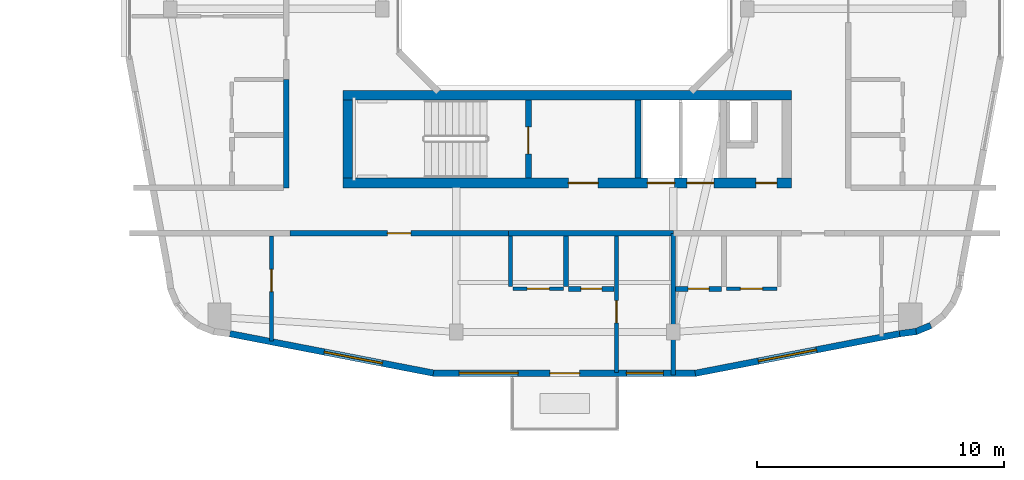
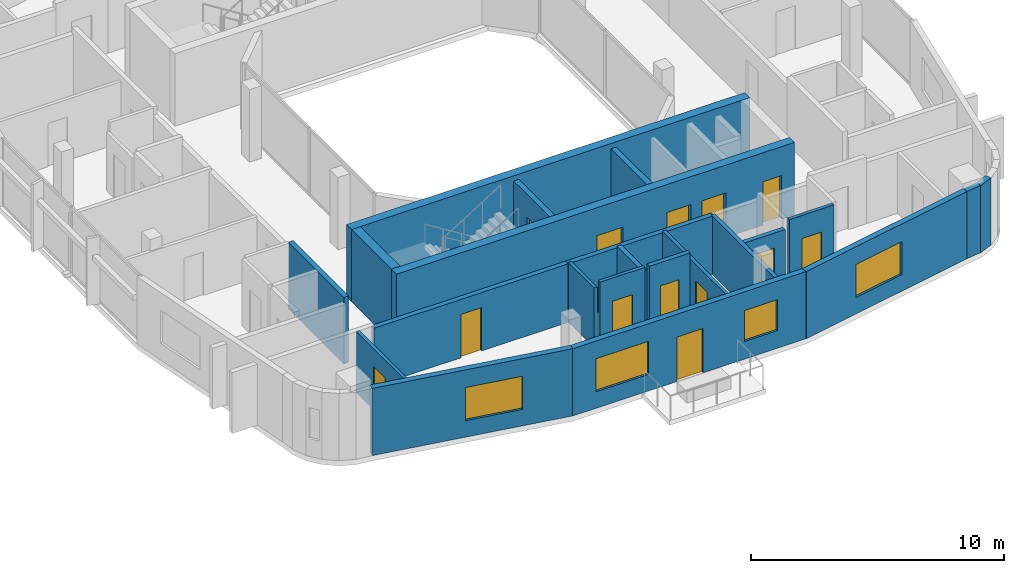
# One storey, part 13 of 22: 22 walls, 13 doors, 4 windows, 17 openings.
"""IFC4 building model written with IfcOpenShell, lengths in metres."""

from ifc_helpers import new_model, si_unit, derived_unit, direction, frame, frame_2d, origin, place, context, subcontext, project, spatial, rectangle, extrude, material, layer, layer_set, type_object, element, fill, save


model = new_model("IFC4")

# Units and contexts
model_context = context("Model", 3, precision=1e-05, world=origin(), true_north=direction((0.0, 1.0)))
body_context = subcontext(model_context, "Body", "Model", "MODEL_VIEW")
ifc_project = project(units=[si_unit("LENGTHUNIT", "METRE"), si_unit("AREAUNIT", "SQUARE_METRE"), si_unit("VOLUMEUNIT", "CUBIC_METRE"), si_unit("PLANEANGLEUNIT", "RADIAN"), si_unit("MASSUNIT", "GRAM", prefix="KILO"), derived_unit("THERMALTRANSMITTANCEUNIT", [(si_unit("POWERUNIT", "WATT"), 1), (si_unit("LENGTHUNIT", "METRE"), -2), (si_unit("THERMODYNAMICTEMPERATUREUNIT", "KELVIN"), -1)])], contexts=[model_context])

# Site, building, storey
site_placement = place(None, origin())
site = spatial("IfcSite", under=ifc_project, at=site_placement, CompositionType="ELEMENT")
building_placement = place(site_placement, origin())
building = spatial("IfcBuilding", under=site, at=building_placement, Name="Kivonza Crest Hotel", CompositionType="ELEMENT")
storey_placement = place(building_placement, frame((0.0, 0.0, 112.5)))
storey = spatial("IfcBuildingStorey", under=building, at=storey_placement, Name="L30", CompositionType="ELEMENT", Elevation=112.5)

# Walls
ifc_material_1 = material(Name="High-density acoustic masonry inter-tenancy wall", Category="masonry")
ifc_layer_1 = layer(ifc_material_1, 0.179931640625)
ifc_layer_set_1 = layer_set([ifc_layer_1], Name="High-density acoustic masonry inter-tenancy wall")
wall_type_1 = type_object("IfcWallType", Name="WL-ACOU-180", PredefinedType="SOLIDWALL", material=ifc_layer_set_1)
wall_1_placement = place(storey_placement, frame((81.39990234375, 6.659912109375, 0.0), z_axis=(0.0, 0.0, 1.0), x_axis=(0.0, 1.0, 0.0)))
element("IfcWall", 1, at=wall_1_placement, inside=storey, type_object=wall_type_1, Name="L30 interior partition WA-L30-T2S-DIV1", PredefinedType="SOLIDWALL", context=body_context, shape_type="SweptSolid", body=[
    extrude(rectangle(XDim=5.739990234375, YDim=0.179931640625, at=frame_2d((2.8701171875, 0.0))), origin(), (0.0, 0.0, 1.0), 2.824951171875),
])
ifc_material_2 = material(Name="Autoclaved aerated concrete blockwork", Category="masonry")
ifc_layer_2 = layer(ifc_material_2, 0.219970703125)
ifc_layer_set_2 = layer_set([ifc_layer_2], Name="Autoclaved aerated concrete blockwork")
wall_type_2 = type_object("IfcWallType", Name="WL-ACOU-220", PredefinedType="SOLIDWALL", material=ifc_layer_set_2)
wall_2_placement = place(storey_placement, frame((74.719970703125, 12.39990234375, 0.0), z_axis=(0.0, 0.0, 1.0), x_axis=(1.0, 0.0, 0.0)))
element("IfcWall", 2, at=wall_2_placement, inside=storey, type_object=wall_type_2, Name="L30 interior partition WA-L30-A03-RCORR", PredefinedType="SOLIDWALL", context=body_context, shape_type="SweptSolid", body=[
    extrude(rectangle(XDim=6.679931640625, YDim=0.219970703125, at=frame_2d((3.33984375, 0.0))), origin(), (0.0, 0.0, 1.0), 2.824951171875),
])

# Wall, opening, door
wall_3_placement = place(storey_placement, frame((65.85009765625, 12.39990234375, 0.0), z_axis=(0.0, 0.0, 1.0), x_axis=(1.0, 0.0, 0.0)))
wall_3 = element("IfcWall", 3, at=wall_3_placement, inside=storey, type_object=wall_type_2, Name="L30 interior partition WA-L30-A03-MCORR", PredefinedType="SOLIDWALL", context=body_context, shape_type="SweptSolid", body=[
    extrude(rectangle(XDim=8.869873046875, YDim=0.219970703125, at=frame_2d((4.43505859375, 0.0))), origin(), (0.0, 0.0, 1.0), 2.824951171875),
])
opening_1_placement = place(wall_3_placement, frame((3.9599609375, 0.0, 0.0)))
opening_1 = element("IfcOpeningElement", 4, at=opening_1_placement, cuts=wall_3, Name="Opening DU-60", PredefinedType="OPENING", context=body_context, shape_type="SweptSolid", body=[
    extrude(rectangle(XDim=0.949951171875, YDim=2.10009765625, at=frame_2d((0.47509765625, 1.050048828125))), frame((0.0, 0.1201171875, 0.0), z_axis=(0.0, -1.0, 0.0), x_axis=(1.0, 0.0, 0.0)), (0.0, 0.0, 1.0), 0.239990234375),
])
ifc_material_3 = material(Name="Hardwood timber oak", Category="wood")
door_type_1 = type_object("IfcDoorType", Name="DR-UNIT-950", OperationType="NOTDEFINED", PredefinedType="DOOR", material=ifc_material_3)
door_1_placement = place(opening_1_placement, frame((0.949951171875, 0.0, 0.0), z_axis=(0.0, 0.0, 1.0), x_axis=(-1.0, 0.0, 0.0)))
door_1 = element("IfcDoor", 5, at=door_1_placement, inside=storey, type_object=door_type_1, Name="L30 A03 apartment entrance fire door", OperationType="SINGLE_SWING_LEFT", OverallHeight=2.10009765625, OverallWidth=0.949951171875, PredefinedType="DOOR", context=body_context, shape_type="SweptSolid", body=[
    extrude(rectangle(XDim=0.949951171875, YDim=2.10009765625, at=frame_2d((0.47509765625, 1.050048828125))), frame((0.0, 0.02490234375, 0.0), z_axis=(0.0, -1.0, 0.0), x_axis=(1.0, 0.0, 0.0)), (0.0, 0.0, 1.0), 0.050048828125),
])
fill(opening_1, door_1)

# Wall
wall_4_placement = place(storey_placement, frame((65.699951171875, 14.239990234375, 0.0), z_axis=(0.0, 0.0, 1.0), x_axis=(0.0, 1.0, 0.0)))
element("IfcWall", 6, at=wall_4_placement, inside=storey, type_object=wall_type_2, Name="L30 interior partition WA-L30-A05-BCORR", PredefinedType="SOLIDWALL", context=body_context, shape_type="SweptSolid", body=[
    extrude(rectangle(XDim=4.39990234375, YDim=0.219970703125, at=frame_2d((2.199951171875, 0.0))), origin(), (0.0, 0.0, 1.0), 3.219970703125),
])

# Wall, openings, doors
ifc_material_4 = material(Name="Concrete C50/60", Category="concrete")
ifc_layer_3 = layer(ifc_material_4, 0.39990234375)
ifc_layer_set_3 = layer_set([ifc_layer_3], Name="Concrete C50/60")
wall_type_3 = type_object("IfcWallType", Name="WL-CORE-400", PredefinedType="SHEAR", material=ifc_layer_set_3)
wall_5_placement = place(storey_placement, frame((68.0, 14.43994140625, 0.0), z_axis=(0.0, 0.0, 1.0), x_axis=(1.0, 0.0, 0.0)))
wall_5 = element("IfcWall", 7, at=wall_5_placement, inside=storey, type_object=wall_type_3, Name="Core wall T2-S South L30", PredefinedType="SHEAR", context=body_context, shape_type="SweptSolid", body=[
    extrude(rectangle(XDim=18.199951171875, YDim=0.39990234375, at=frame_2d((9.10009765625, 0.0))), origin(), (0.0, 0.0, 1.0), 3.5),
])
opening_2_placement = place(wall_5_placement, frame((9.14990234375, 0.0, 0.0)))
opening_2 = element("IfcOpeningElement", 8, at=opening_2_placement, cuts=wall_5, Name="Opening DF-60", PredefinedType="OPENING", context=body_context, shape_type="SweptSolid", body=[
    extrude(rectangle(XDim=1.199951171875, YDim=2.14990234375, at=frame_2d((0.60009765625, 1.074951171875))), frame((0.0, 0.2099609375, 0.0), z_axis=(0.0, -1.0, 0.0), x_axis=(1.0, 0.0, 0.0)), (0.0, 0.0, 1.0), 0.419921875),
])
opening_3_placement = place(wall_5_placement, frame((16.75, 0.0, 0.0)))
opening_3 = element("IfcOpeningElement", 9, at=opening_3_placement, cuts=wall_5, Name="Opening DF-60R", PredefinedType="OPENING", context=body_context, shape_type="SweptSolid", body=[
    extrude(rectangle(XDim=0.85009765625, YDim=2.10009765625, at=frame_2d((0.425048828125, 1.050048828125))), frame((0.0, 0.2099609375, 0.0), z_axis=(0.0, -1.0, 0.0), x_axis=(1.0, 0.0, 0.0)), (0.0, 0.0, 1.0), 0.419921875),
])
opening_4_placement = place(wall_5_placement, frame((12.35009765625, 0.0, 0.0)))
opening_4 = element("IfcOpeningElement", 10, at=opening_4_placement, cuts=wall_5, Name="Opening LD-120", PredefinedType="OPENING", context=body_context, shape_type="SweptSolid", body=[
    extrude(rectangle(XDim=1.10009765625, YDim=2.14990234375, at=frame_2d((0.550048828125, 1.074951171875))), frame((0.0, 0.2099609375, 0.0), z_axis=(0.0, -1.0, 0.0), x_axis=(1.0, 0.0, 0.0)), (0.0, 0.0, 1.0), 0.419921875),
])
opening_5_placement = place(wall_5_placement, frame((13.949951171875, 0.0, 0.0)))
opening_5 = element("IfcOpeningElement", 11, at=opening_5_placement, cuts=wall_5, Name="Opening LD-120", PredefinedType="OPENING", context=body_context, shape_type="SweptSolid", body=[
    extrude(rectangle(XDim=1.10009765625, YDim=2.14990234375, at=frame_2d((0.550048828125, 1.074951171875))), frame((0.0, 0.2099609375, 0.0), z_axis=(0.0, -1.0, 0.0), x_axis=(1.0, 0.0, 0.0)), (0.0, 0.0, 1.0), 0.419921875),
])
door_type_2 = type_object("IfcDoorType", Name="DR-FD60-1200", OperationType="NOTDEFINED", PredefinedType="DOOR", material=ifc_material_3)
door_2_placement = place(opening_2_placement, frame((1.199951171875, 0.0, 0.0), z_axis=(0.0, 0.0, 1.0), x_axis=(-1.0, 0.0, 0.0)))
door_2 = element("IfcDoor", 12, at=door_2_placement, inside=storey, type_object=door_type_2, Name="L30 T2-S firefighting lobby fire door", OperationType="SINGLE_SWING_LEFT", OverallHeight=2.14990234375, OverallWidth=1.199951171875, PredefinedType="DOOR", context=body_context, shape_type="SweptSolid", body=[
    extrude(rectangle(XDim=1.199951171875, YDim=2.14990234375, at=frame_2d((0.60009765625, 1.074951171875))), frame((0.0, 0.02490234375, 0.0), z_axis=(0.0, -1.0, 0.0), x_axis=(1.0, 0.0, 0.0)), (0.0, 0.0, 1.0), 0.050048828125),
])
fill(opening_2, door_2)
door_type_3 = type_object("IfcDoorType", Name="DR-FD60-850", OperationType="NOTDEFINED", PredefinedType="DOOR", material=ifc_material_3)
door_3_placement = place(opening_3_placement, frame((0.85009765625, 0.0, 0.0), z_axis=(0.0, 0.0, 1.0), x_axis=(-1.0, 0.0, 0.0)))
door_3 = element("IfcDoor", 13, at=door_3_placement, inside=storey, type_object=door_type_3, Name="L30 T2-S core room door", OperationType="SINGLE_SWING_RIGHT", OverallHeight=2.10009765625, OverallWidth=0.85009765625, PredefinedType="DOOR", context=body_context, shape_type="SweptSolid", body=[
    extrude(rectangle(XDim=0.85009765625, YDim=2.10009765625, at=frame_2d((0.425048828125, 1.050048828125))), frame((0.0, 0.02490234375, 0.0), z_axis=(0.0, -1.0, 0.0), x_axis=(1.0, 0.0, 0.0)), (0.0, 0.0, 1.0), 0.050048828125),
])
fill(opening_3, door_3)
ifc_material_5 = material(Name="Stainless steel", Category="steel")
door_type_4 = type_object("IfcDoorType", Name="DR-LD120-1100", OperationType="NOTDEFINED", PredefinedType="DOOR", material=ifc_material_5)
door_4_placement = place(opening_4_placement, frame((1.10009765625, 0.0, 0.0), z_axis=(0.0, 0.0, 1.0), x_axis=(-1.0, 0.0, 0.0)))
door_4 = element("IfcDoor", 14, at=door_4_placement, inside=storey, type_object=door_type_4, Name="L30 PL-T2-1 passenger lift sliding landing door", OperationType="DOUBLE_DOOR_SLIDING", OverallHeight=2.14990234375, OverallWidth=1.10009765625, PredefinedType="DOOR", context=body_context, shape_type="SweptSolid", body=[
    extrude(rectangle(XDim=1.10009765625, YDim=2.14990234375, at=frame_2d((0.550048828125, 1.074951171875))), frame((0.0, 0.02490234375, 0.0), z_axis=(0.0, -1.0, 0.0), x_axis=(1.0, 0.0, 0.0)), (0.0, 0.0, 1.0), 0.050048828125),
])
fill(opening_4, door_4)
door_5_placement = place(opening_5_placement, frame((1.10009765625, 0.0, 0.0), z_axis=(0.0, 0.0, 1.0), x_axis=(-1.0, 0.0, 0.0)))
door_5 = element("IfcDoor", 15, at=door_5_placement, inside=storey, type_object=door_type_4, Name="L30 PL-T2-2 passenger lift sliding landing door", OperationType="DOUBLE_DOOR_SLIDING", OverallHeight=2.14990234375, OverallWidth=1.10009765625, PredefinedType="DOOR", context=body_context, shape_type="SweptSolid", body=[
    extrude(rectangle(XDim=1.10009765625, YDim=2.14990234375, at=frame_2d((0.550048828125, 1.074951171875))), frame((0.0, 0.02490234375, 0.0), z_axis=(0.0, -1.0, 0.0), x_axis=(1.0, 0.0, 0.0)), (0.0, 0.0, 1.0), 0.050048828125),
])
fill(opening_5, door_5)

# Walls
wall_6_placement = place(storey_placement, frame((68.0, 18.0, 0.0), z_axis=(0.0, 0.0, 1.0), x_axis=(1.0, 0.0, 0.0)))
element("IfcWall", 16, at=wall_6_placement, inside=storey, type_object=wall_type_3, Name="Core wall T2-S North L30", PredefinedType="SHEAR", context=body_context, shape_type="SweptSolid", body=[
    extrude(rectangle(XDim=18.199951171875, YDim=0.39990234375, at=frame_2d((9.10009765625, 0.0))), origin(), (0.0, 0.0, 1.0), 3.5),
])
wall_7_placement = place(storey_placement, frame((68.199951171875, 14.639892578125, 0.0), z_axis=(0.0, 0.0, 1.0), x_axis=(0.0, 1.0, 0.0)))
element("IfcWall", 17, at=wall_7_placement, inside=storey, type_object=wall_type_3, Name="Core wall T2-S West L30", PredefinedType="SHEAR", context=body_context, shape_type="SweptSolid", body=[
    extrude(rectangle(XDim=3.16015625, YDim=0.39990234375, at=frame_2d((1.580078125, 0.0))), origin(), (0.0, 0.0, 1.0), 3.5),
])

# Wall, opening, window
ifc_material_6 = material(Name="Precast concrete C40/50", Category="concrete")
ifc_layer_4 = layer(ifc_material_6, 0.260009765625)
ifc_layer_set_4 = layer_set([ifc_layer_4], Name="Precast concrete C40/50")
wall_type_4 = type_object("IfcWallType", Name="WL-EXT-260", PredefinedType="STANDARD", material=ifc_layer_set_4)
wall_8_placement = place(storey_placement, frame((63.4169921875, 8.330078125, 0.0), z_axis=(0.0, 0.0, 1.0), x_axis=(0.98174070399, -0.190224052445, 0.0)))
wall_8 = element("IfcWall", 18, at=wall_8_placement, inside=storey, type_object=wall_type_4, Name="L30 T2 exterior insulated wall 7", PredefinedType="STANDARD", context=body_context, shape_type="SweptSolid", body=[
    extrude(rectangle(XDim=8.41162109375, YDim=0.260009765625, at=frame_2d((4.205810546875, 0.0))), origin(), (0.0, 0.0, 1.0), 3.25),
])
opening_6_placement = place(wall_8_placement, frame((3.905029296875, 0.0, 0.800048828125)))
opening_6 = element("IfcOpeningElement", 19, at=opening_6_placement, cuts=wall_8, Name="Opening WN-05", PredefinedType="OPENING", context=body_context, shape_type="SweptSolid", body=[
    extrude(rectangle(XDim=2.39990234375, YDim=1.60009765625, at=frame_2d((1.199951171875, 0.800048828125))), frame((0.0, 0.14013671875, 0.0), z_axis=(0.0, -1.0, 0.0), x_axis=(1.0, 0.0, 0.0)), (0.0, 0.0, 1.0), 0.280029296875),
])
ifc_material_7 = material(Name="Thermally broken bronze aluminium and low-E double glazing", Category="aluminium")
window_type_1 = type_object("IfcWindowType", Name="WN-240x160", PartitioningType="TRIPLE_PANEL_VERTICAL", PredefinedType="WINDOW", material=ifc_material_7)
window_1_placement = place(opening_6_placement, origin())
window_1 = element("IfcWindow", 20, at=window_1_placement, inside=storey, type_object=window_type_1, Name="L30 T2 facade window 7", OverallHeight=1.60009765625, OverallWidth=2.39990234375, PartitioningType="SINGLE_PANEL", PredefinedType="WINDOW", context=body_context, shape_type="SweptSolid", body=[
    extrude(rectangle(XDim=2.39990234375, YDim=1.60009765625, at=frame_2d((1.199951171875, 0.800048828125))), frame((0.0, 0.030029296875, 0.0), z_axis=(0.0, -1.0, 0.0), x_axis=(1.0, 0.0, 0.0)), (0.0, 0.0, 1.0), 0.06005859375),
])
fill(opening_6, window_1)

# Wall, openings, door, windows
wall_9_placement = place(storey_placement, frame((71.635009765625, 6.72998046875, 0.0), z_axis=(0.0, 0.0, 1.0), x_axis=(1.0, 0.0, 0.0)))
wall_9 = element("IfcWall", 21, at=wall_9_placement, inside=storey, type_object=wall_type_4, Name="L30 T2 exterior insulated wall 8", PredefinedType="STANDARD", context=body_context, shape_type="SweptSolid", body=[
    extrude(rectangle(XDim=10.695068359375, YDim=0.260009765625, at=frame_2d((5.34765625, 0.0))), origin(), (0.0, 0.0, 1.0), 3.25),
])
opening_7_placement = place(wall_9_placement, frame((4.764892578125, 0.0, 0.0)))
opening_7 = element("IfcOpeningElement", 22, at=opening_7_placement, cuts=wall_9, Name="Opening DT-120", PredefinedType="OPENING", context=body_context, shape_type="SweptSolid", body=[
    extrude(rectangle(XDim=1.199951171875, YDim=2.14990234375, at=frame_2d((0.60009765625, 1.074951171875))), frame((0.0, 0.14013671875, 0.0), z_axis=(0.0, -1.0, 0.0), x_axis=(1.0, 0.0, 0.0)), (0.0, 0.0, 1.0), 0.280029296875),
])
opening_8_placement = place(wall_9_placement, frame((1.076904296875, 0.0, 0.800048828125)))
opening_8 = element("IfcOpeningElement", 23, at=opening_8_placement, cuts=wall_9, Name="Opening WN-05", PredefinedType="OPENING", context=body_context, shape_type="SweptSolid", body=[
    extrude(rectangle(XDim=2.39990234375, YDim=1.60009765625, at=frame_2d((1.199951171875, 0.800048828125))), frame((0.0, 0.14013671875, 0.0), z_axis=(0.0, -1.0, 0.0), x_axis=(1.0, 0.0, 0.0)), (0.0, 0.0, 1.0), 0.280029296875),
])
opening_9_placement = place(wall_9_placement, frame((7.864990234375, 0.0, 0.85009765625)))
opening_9 = element("IfcOpeningElement", 24, at=opening_9_placement, cuts=wall_9, Name="Opening WN-02", PredefinedType="OPENING", context=body_context, shape_type="SweptSolid", body=[
    extrude(rectangle(XDim=1.5, YDim=1.5, at=frame_2d((0.75, 0.75))), frame((0.0, 0.14013671875, 0.0), z_axis=(0.0, -1.0, 0.0), x_axis=(1.0, 0.0, 0.0)), (0.0, 0.0, 1.0), 0.280029296875),
])
ifc_material_8 = material(Name="Anodised bronze aluminium and laminated safety glass", Category="aluminium")
door_type_5 = type_object("IfcDoorType", Name="DR-TERR-1200", OperationType="NOTDEFINED", PredefinedType="DOOR", material=ifc_material_8)
door_6_placement = place(opening_7_placement, frame((1.199951171875, 0.0, 0.0), z_axis=(0.0, 0.0, 1.0), x_axis=(-1.0, 0.0, 0.0)))
door_6 = element("IfcDoor", 25, at=door_6_placement, inside=storey, type_object=door_type_5, Name="T2 L30 SW sky-garden bridge access door", OperationType="SINGLE_SWING_RIGHT", OverallHeight=2.14990234375, OverallWidth=1.199951171875, PredefinedType="DOOR", context=body_context, shape_type="SweptSolid", body=[
    extrude(rectangle(XDim=1.199951171875, YDim=2.14990234375, at=frame_2d((0.60009765625, 1.074951171875))), frame((0.0, 0.02490234375, 0.0), z_axis=(0.0, -1.0, 0.0), x_axis=(1.0, 0.0, 0.0)), (0.0, 0.0, 1.0), 0.050048828125),
])
fill(opening_7, door_6)
window_type_2 = type_object("IfcWindowType", Name="WN-150x150", PartitioningType="DOUBLE_PANEL_VERTICAL", PredefinedType="WINDOW", material=ifc_material_7)
window_2_placement = place(opening_9_placement, origin())
window_2 = element("IfcWindow", 26, at=window_2_placement, inside=storey, type_object=window_type_2, Name="L30 T2 facade window 8 bay 2", OverallHeight=1.5, OverallWidth=1.5, PartitioningType="SINGLE_PANEL", PredefinedType="WINDOW", context=body_context, shape_type="SweptSolid", body=[
    extrude(rectangle(XDim=1.5, YDim=1.5, at=frame_2d((0.75, 0.75))), frame((0.0, 0.030029296875, 0.0), z_axis=(0.0, -1.0, 0.0), x_axis=(1.0, 0.0, 0.0)), (0.0, 0.0, 1.0), 0.06005859375),
])
fill(opening_9, window_2)
window_3_placement = place(opening_8_placement, origin())
window_3 = element("IfcWindow", 27, at=window_3_placement, inside=storey, type_object=window_type_1, Name="L30 T2 facade window 8 bay 1", OverallHeight=1.60009765625, OverallWidth=2.39990234375, PartitioningType="SINGLE_PANEL", PredefinedType="WINDOW", context=body_context, shape_type="SweptSolid", body=[
    extrude(rectangle(XDim=2.39990234375, YDim=1.60009765625, at=frame_2d((1.199951171875, 0.800048828125))), frame((0.0, 0.030029296875, 0.0), z_axis=(0.0, -1.0, 0.0), x_axis=(1.0, 0.0, 0.0)), (0.0, 0.0, 1.0), 0.06005859375),
])
fill(opening_8, window_3)

# Wall, opening, window
wall_10_placement = place(storey_placement, frame((82.2900390625, 6.722900390625, 0.0), z_axis=(0.0, 0.0, 1.0), x_axis=(0.981733729692, 0.190260043057, 0.0)))
wall_10 = element("IfcWall", 28, at=wall_10_placement, inside=storey, type_object=wall_type_4, Name="L30 T2 exterior insulated wall 9", PredefinedType="STANDARD", context=body_context, shape_type="SweptSolid", body=[
    extrude(rectangle(XDim=8.447265625, YDim=0.260009765625, at=frame_2d((4.2236328125, 0.0))), origin(), (0.0, 0.0, 1.0), 3.25),
])
opening_10_placement = place(wall_10_placement, frame((2.60791015625, 0.0, 0.800048828125)))
opening_10 = element("IfcOpeningElement", 29, at=opening_10_placement, cuts=wall_10, Name="Opening WN-05", PredefinedType="OPENING", context=body_context, shape_type="SweptSolid", body=[
    extrude(rectangle(XDim=2.39990234375, YDim=1.60009765625, at=frame_2d((1.199951171875, 0.800048828125))), frame((0.0, 0.14013671875, 0.0), z_axis=(0.0, -1.0, 0.0), x_axis=(1.0, 0.0, 0.0)), (0.0, 0.0, 1.0), 0.280029296875),
])
window_4_placement = place(opening_10_placement, origin())
window_4 = element("IfcWindow", 30, at=window_4_placement, inside=storey, type_object=window_type_1, Name="L30 T2 facade window 9", OverallHeight=1.60009765625, OverallWidth=2.39990234375, PartitioningType="SINGLE_PANEL", PredefinedType="WINDOW", context=body_context, shape_type="SweptSolid", body=[
    extrude(rectangle(XDim=2.39990234375, YDim=1.60009765625, at=frame_2d((1.199951171875, 0.800048828125))), frame((0.0, 0.030029296875, 0.0), z_axis=(0.0, -1.0, 0.0), x_axis=(1.0, 0.0, 0.0)), (0.0, 0.0, 1.0), 0.06005859375),
])
fill(opening_10, window_4)

# Walls
wall_11_placement = place(storey_placement, frame((90.574951171875, 8.327880859375, 0.0), z_axis=(0.0, 0.0, 1.0), x_axis=(0.991300187529, 0.13162043232, 0.0)))
element("IfcWall", 31, at=wall_11_placement, inside=storey, type_object=wall_type_4, Name="L30 T2 exterior insulated wall 10", PredefinedType="STANDARD", context=body_context, shape_type="SweptSolid", body=[
    extrude(rectangle(XDim=0.677001953125, YDim=0.260009765625, at=frame_2d((0.33837890625, 0.0))), origin(), (0.0, 0.0, 1.0), 3.25),
])
wall_12_placement = place(storey_placement, frame((91.199951171875, 8.39892578125, 0.0), z_axis=(0.0, 0.0, 1.0), x_axis=(0.924093981904, 0.382165294877, 0.0)))
element("IfcWall", 32, at=wall_12_placement, inside=storey, type_object=wall_type_4, Name="L30 T2 exterior insulated wall 11", PredefinedType="STANDARD", context=body_context, shape_type="SweptSolid", body=[
    extrude(rectangle(XDim=0.69384765625, YDim=0.260009765625, at=frame_2d((0.346923828125, 0.0))), origin(), (0.0, 0.0, 1.0), 3.25),
])

# Wall, opening, door
ifc_material_9 = material(Name="Twin-stud acoustic gypsum board partition", Category="gypsum")
ifc_layer_5 = layer(ifc_material_9, 0.14990234375)
ifc_layer_set_5 = layer_set([ifc_layer_5], Name="Twin-stud acoustic gypsum board partition")
wall_type_5 = type_object("IfcWallType", Name="WL-PART-150", PredefinedType="PARTITIONING", material=ifc_layer_set_5)
wall_13_placement = place(storey_placement, frame((65.110107421875, 8.030029296875, 0.0), z_axis=(0.0, 0.0, 1.0), x_axis=(0.0, 1.0, 0.0)))
wall_13 = element("IfcWall", 33, at=wall_13_placement, inside=storey, type_object=wall_type_5, Name="L30 interior partition WP-L30-A03-BDW1", PredefinedType="PARTITIONING", context=body_context, shape_type="SweptSolid", body=[
    extrude(rectangle(XDim=4.27001953125, YDim=0.14990234375, at=frame_2d((2.135009765625, 0.0))), origin(), (0.0, 0.0, 1.0), 2.945068359375),
])
opening_11_placement = place(wall_13_placement, frame((2.010009765625, 0.0, 0.0)))
opening_11 = element("IfcOpeningElement", 34, at=opening_11_placement, cuts=wall_13, Name="Opening DI-90", PredefinedType="OPENING", context=body_context, shape_type="SweptSolid", body=[
    extrude(rectangle(XDim=0.89990234375, YDim=2.10009765625, at=frame_2d((0.449951171875, 1.050048828125))), frame((0.0, 0.0849609375, 0.0), z_axis=(0.0, -1.0, 0.0), x_axis=(1.0, 0.0, 0.0)), (0.0, 0.0, 1.0), 0.169921875),
])
door_type_6 = type_object("IfcDoorType", Name="DR-INT-900", OperationType="NOTDEFINED", PredefinedType="DOOR", material=ifc_material_3)
door_7_placement = place(opening_11_placement, origin())
door_7 = element("IfcDoor", 35, at=door_7_placement, inside=storey, type_object=door_type_6, Name="L30 A03 bedroom 1 door", OperationType="SINGLE_SWING_RIGHT", OverallHeight=2.10009765625, OverallWidth=0.89990234375, PredefinedType="DOOR", context=body_context, shape_type="SweptSolid", body=[
    extrude(rectangle(XDim=0.89990234375, YDim=2.10009765625, at=frame_2d((0.449951171875, 1.050048828125))), frame((0.0, 0.02490234375, 0.0), z_axis=(0.0, -1.0, 0.0), x_axis=(1.0, 0.0, 0.0)), (0.0, 0.0, 1.0), 0.050048828125),
])
fill(opening_11, door_7)

wall_14_placement = place(storey_placement, frame((79.10009765625, 6.760009765625, 0.0), z_axis=(0.0, 0.0, 1.0), x_axis=(0.0, 1.0, 0.0)))
wall_14 = element("IfcWall", 36, at=wall_14_placement, inside=storey, type_object=wall_type_5, Name="L30 interior partition WP-L30-A03-BDW2", PredefinedType="PARTITIONING", context=body_context, shape_type="SweptSolid", body=[
    extrude(rectangle(XDim=5.5400390625, YDim=0.14990234375, at=frame_2d((2.77001953125, 0.0))), origin(), (0.0, 0.0, 1.0), 2.89501953125),
])
opening_12_placement = place(wall_14_placement, frame((2.010009765625, 0.0, 0.0)))
opening_12 = element("IfcOpeningElement", 37, at=opening_12_placement, cuts=wall_14, Name="Opening DI-90", PredefinedType="OPENING", context=body_context, shape_type="SweptSolid", body=[
    extrude(rectangle(XDim=0.89990234375, YDim=2.10009765625, at=frame_2d((0.449951171875, 1.050048828125))), frame((0.0, 0.0849609375, 0.0), z_axis=(0.0, -1.0, 0.0), x_axis=(1.0, 0.0, 0.0)), (0.0, 0.0, 1.0), 0.169921875),
])
door_8_placement = place(opening_12_placement, origin())
door_8 = element("IfcDoor", 38, at=door_8_placement, inside=storey, type_object=door_type_6, Name="L30 A03 bedroom 2 door", OperationType="SINGLE_SWING_LEFT", OverallHeight=2.10009765625, OverallWidth=0.89990234375, PredefinedType="DOOR", context=body_context, shape_type="SweptSolid", body=[
    extrude(rectangle(XDim=0.89990234375, YDim=2.10009765625, at=frame_2d((0.449951171875, 1.050048828125))), frame((0.0, 0.02490234375, 0.0), z_axis=(0.0, -1.0, 0.0), x_axis=(1.0, 0.0, 0.0)), (0.0, 0.0, 1.0), 0.050048828125),
])
fill(opening_12, door_8)

# Wall
wall_15_placement = place(storey_placement, frame((74.800048828125, 10.25, 0.0), z_axis=(0.0, 0.0, 1.0), x_axis=(0.0, 1.0, 0.0)))
element("IfcWall", 39, at=wall_15_placement, inside=storey, type_object=wall_type_5, Name="L30 interior partition WP-L30-A03-KF", PredefinedType="PARTITIONING", context=body_context, shape_type="SweptSolid", body=[
    extrude(rectangle(XDim=2.050048828125, YDim=0.14990234375, at=frame_2d((1.02490234375, 0.0))), origin(), (0.0, 0.0, 1.0), 2.89501953125),
])

# Wall, opening, door
wall_16_placement = place(storey_placement, frame((74.89990234375, 10.14990234375, 0.0), z_axis=(0.0, 0.0, 1.0), x_axis=(1.0, 0.0, 0.0)))
wall_16 = element("IfcWall", 40, at=wall_16_placement, inside=storey, type_object=wall_type_5, Name="L30 interior partition WP-L30-A03-KSVC", PredefinedType="PARTITIONING", context=body_context, shape_type="SweptSolid", body=[
    extrude(rectangle(XDim=2.050048828125, YDim=0.14990234375, at=frame_2d((1.02490234375, 0.0))), origin(), (0.0, 0.0, 1.0), 3.219970703125),
])
opening_13_placement = place(wall_16_placement, frame((0.574951171875, 0.0, 0.0)))
opening_13 = element("IfcOpeningElement", 41, at=opening_13_placement, cuts=wall_16, Name="Opening DI-90", PredefinedType="OPENING", context=body_context, shape_type="SweptSolid", body=[
    extrude(rectangle(XDim=0.89990234375, YDim=2.10009765625, at=frame_2d((0.449951171875, 1.050048828125))), frame((0.0, 0.0849609375, 0.0), z_axis=(0.0, -1.0, 0.0), x_axis=(1.0, 0.0, 0.0)), (0.0, 0.0, 1.0), 0.169921875),
])
door_9_placement = place(opening_13_placement, frame((0.89990234375, 0.0, 0.0), z_axis=(0.0, 0.0, 1.0), x_axis=(-1.0, 0.0, 0.0)))
door_9 = element("IfcDoor", 42, at=door_9_placement, inside=storey, type_object=door_type_6, Name="L30 A03 apartment kitchen door", OperationType="SINGLE_SWING_LEFT", OverallHeight=2.10009765625, OverallWidth=0.89990234375, PredefinedType="DOOR", context=body_context, shape_type="SweptSolid", body=[
    extrude(rectangle(XDim=0.89990234375, YDim=2.10009765625, at=frame_2d((0.449951171875, 1.050048828125))), frame((0.0, 0.02490234375, 0.0), z_axis=(0.0, -1.0, 0.0), x_axis=(1.0, 0.0, 0.0)), (0.0, 0.0, 1.0), 0.050048828125),
])
fill(opening_13, door_9)

wall_17_placement = place(storey_placement, frame((83.550048828125, 10.14990234375, 0.0), z_axis=(0.0, 0.0, 1.0), x_axis=(1.0, 0.0, 0.0)))
wall_17 = element("IfcWall", 43, at=wall_17_placement, inside=storey, type_object=wall_type_5, Name="L30 interior partition WP-L30-A04-KSVC", PredefinedType="PARTITIONING", context=body_context, shape_type="SweptSolid", body=[
    extrude(rectangle(XDim=2.050048828125, YDim=0.14990234375, at=frame_2d((1.02490234375, 0.0))), origin(), (0.0, 0.0, 1.0), 3.219970703125),
])
opening_14_placement = place(wall_17_placement, frame((0.574951171875, 0.0, 0.0)))
opening_14 = element("IfcOpeningElement", 44, at=opening_14_placement, cuts=wall_17, Name="Opening DI-90", PredefinedType="OPENING", context=body_context, shape_type="SweptSolid", body=[
    extrude(rectangle(XDim=0.89990234375, YDim=2.10009765625, at=frame_2d((0.449951171875, 1.050048828125))), frame((0.0, 0.0849609375, 0.0), z_axis=(0.0, -1.0, 0.0), x_axis=(1.0, 0.0, 0.0)), (0.0, 0.0, 1.0), 0.169921875),
])
door_10_placement = place(opening_14_placement, frame((0.89990234375, 0.0, 0.0), z_axis=(0.0, 0.0, 1.0), x_axis=(-1.0, 0.0, 0.0)))
door_10 = element("IfcDoor", 45, at=door_10_placement, inside=storey, type_object=door_type_6, Name="L30 A04 apartment kitchen door", OperationType="SINGLE_SWING_RIGHT", OverallHeight=2.10009765625, OverallWidth=0.89990234375, PredefinedType="DOOR", context=body_context, shape_type="SweptSolid", body=[
    extrude(rectangle(XDim=0.89990234375, YDim=2.10009765625, at=frame_2d((0.449951171875, 1.050048828125))), frame((0.0, 0.02490234375, 0.0), z_axis=(0.0, -1.0, 0.0), x_axis=(1.0, 0.0, 0.0)), (0.0, 0.0, 1.0), 0.050048828125),
])
fill(opening_14, door_10)

# Wall
ifc_material_10 = material(Name="Moisture-resistant plumbing chase partition wall", Category="gypsum")
ifc_layer_6 = layer(ifc_material_10, 0.199951171875)
ifc_layer_set_6 = layer_set([ifc_layer_6], Name="Moisture-resistant plumbing chase partition wall")
wall_type_6 = type_object("IfcWallType", Name="WL-PLUMB-200", PredefinedType="PLUMBINGWALL", material=ifc_layer_set_6)
wall_18_placement = place(storey_placement, frame((77.050048828125, 10.25, 0.0), z_axis=(0.0, 0.0, 1.0), x_axis=(0.0, 1.0, 0.0)))
element("IfcWall", 46, at=wall_18_placement, inside=storey, type_object=wall_type_6, Name="L30 interior partition WW-L30-A03-BK", PredefinedType="PLUMBINGWALL", context=body_context, shape_type="SweptSolid", body=[
    extrude(rectangle(XDim=2.050048828125, YDim=0.199951171875, at=frame_2d((1.02490234375, 0.0))), origin(), (0.0, 0.0, 1.0), 2.89501953125),
])

# Wall, opening, door
wall_19_placement = place(storey_placement, frame((77.14990234375, 10.14990234375, 0.0), z_axis=(0.0, 0.0, 1.0), x_axis=(1.0, 0.0, 0.0)))
wall_19 = element("IfcWall", 47, at=wall_19_placement, inside=storey, type_object=wall_type_6, Name="L30 interior partition WW-L30-A03-BSVC", PredefinedType="PLUMBINGWALL", context=body_context, shape_type="SweptSolid", body=[
    extrude(rectangle(XDim=1.85009765625, YDim=0.199951171875, at=frame_2d((0.925048828125, 0.0))), origin(), (0.0, 0.0, 1.0), 3.219970703125),
])
opening_15_placement = place(wall_19_placement, frame((0.5, 0.0, 0.0)))
opening_15 = element("IfcOpeningElement", 48, at=opening_15_placement, cuts=wall_19, Name="Opening DI-85", PredefinedType="OPENING", context=body_context, shape_type="SweptSolid", body=[
    extrude(rectangle(XDim=0.85009765625, YDim=2.10009765625, at=frame_2d((0.425048828125, 1.050048828125))), frame((0.0, 0.10986328125, 0.0), z_axis=(0.0, -1.0, 0.0), x_axis=(1.0, 0.0, 0.0)), (0.0, 0.0, 1.0), 0.219970703125),
])
door_type_7 = type_object("IfcDoorType", Name="DR-INT-850", OperationType="NOTDEFINED", PredefinedType="DOOR", material=ifc_material_3)
door_11_placement = place(opening_15_placement, frame((0.85009765625, 0.0, 0.0), z_axis=(0.0, 0.0, 1.0), x_axis=(-1.0, 0.0, 0.0)))
door_11 = element("IfcDoor", 49, at=door_11_placement, inside=storey, type_object=door_type_7, Name="L30 A03 apartment bathroom door", OperationType="SINGLE_SWING_RIGHT", OverallHeight=2.10009765625, OverallWidth=0.85009765625, PredefinedType="DOOR", context=body_context, shape_type="SweptSolid", body=[
    extrude(rectangle(XDim=0.85009765625, YDim=2.10009765625, at=frame_2d((0.425048828125, 1.050048828125))), frame((0.0, 0.02490234375, 0.0), z_axis=(0.0, -1.0, 0.0), x_axis=(1.0, 0.0, 0.0)), (0.0, 0.0, 1.0), 0.050048828125),
])
fill(opening_15, door_11)

wall_20_placement = place(storey_placement, frame((81.5, 10.14990234375, 0.0), z_axis=(0.0, 0.0, 1.0), x_axis=(1.0, 0.0, 0.0)))
wall_20 = element("IfcWall", 50, at=wall_20_placement, inside=storey, type_object=wall_type_6, Name="L30 interior partition WW-L30-A04-BSVC", PredefinedType="PLUMBINGWALL", context=body_context, shape_type="SweptSolid", body=[
    extrude(rectangle(XDim=1.85009765625, YDim=0.199951171875, at=frame_2d((0.925048828125, 0.0))), origin(), (0.0, 0.0, 1.0), 2.824951171875),
])
opening_16_placement = place(wall_20_placement, frame((0.5, 0.0, 0.0)))
opening_16 = element("IfcOpeningElement", 51, at=opening_16_placement, cuts=wall_20, Name="Opening DI-85", PredefinedType="OPENING", context=body_context, shape_type="SweptSolid", body=[
    extrude(rectangle(XDim=0.85009765625, YDim=2.10009765625, at=frame_2d((0.425048828125, 1.050048828125))), frame((0.0, 0.10986328125, 0.0), z_axis=(0.0, -1.0, 0.0), x_axis=(1.0, 0.0, 0.0)), (0.0, 0.0, 1.0), 0.219970703125),
])
door_12_placement = place(opening_16_placement, frame((0.85009765625, 0.0, 0.0), z_axis=(0.0, 0.0, 1.0), x_axis=(-1.0, 0.0, 0.0)))
door_12 = element("IfcDoor", 52, at=door_12_placement, inside=storey, type_object=door_type_7, Name="L30 A04 apartment bathroom door", OperationType="SINGLE_SWING_LEFT", OverallHeight=2.10009765625, OverallWidth=0.85009765625, PredefinedType="DOOR", context=body_context, shape_type="SweptSolid", body=[
    extrude(rectangle(XDim=0.85009765625, YDim=2.10009765625, at=frame_2d((0.425048828125, 1.050048828125))), frame((0.0, 0.02490234375, 0.0), z_axis=(0.0, -1.0, 0.0), x_axis=(1.0, 0.0, 0.0)), (0.0, 0.0, 1.0), 0.050048828125),
])
fill(opening_16, door_12)

ifc_layer_7 = layer(ifc_material_4, 0.25)
ifc_layer_set_7 = layer_set([ifc_layer_7], Name="Concrete C50/60")
wall_type_7 = type_object("IfcWallType", Name="WL-SHAFT-250", PredefinedType="STANDARD", material=ifc_layer_set_7)
wall_21_placement = place(storey_placement, frame((75.52490234375, 14.639892578125, 0.0), z_axis=(0.0, 0.0, 1.0), x_axis=(0.0, 1.0, 0.0)))
wall_21 = element("IfcWall", 53, at=wall_21_placement, inside=storey, type_object=wall_type_7, Name="Core shaft wall T2-S STAIR L30", PredefinedType="STANDARD", context=body_context, shape_type="SweptSolid", body=[
    extrude(rectangle(XDim=3.16015625, YDim=0.25, at=frame_2d((1.580078125, 0.0))), origin(), (0.0, 0.0, 1.0), 3.25),
])
opening_17_placement = place(wall_21_placement, frame((0.97998046875, 0.0, 0.0)))
opening_17 = element("IfcOpeningElement", 54, at=opening_17_placement, cuts=wall_21, Name="Opening DF-120", PredefinedType="OPENING", context=body_context, shape_type="SweptSolid", body=[
    extrude(rectangle(XDim=1.10009765625, YDim=2.14990234375, at=frame_2d((0.550048828125, 1.074951171875))), frame((0.0, 0.135009765625, 0.0), z_axis=(0.0, -1.0, 0.0), x_axis=(1.0, 0.0, 0.0)), (0.0, 0.0, 1.0), 0.27001953125),
])
ifc_material_11 = material(Name="Galvanised steel", Category="steel")
door_type_8 = type_object("IfcDoorType", Name="DR-FD120-1100", OperationType="NOTDEFINED", PredefinedType="DOOR", material=ifc_material_11)
door_13_placement = place(opening_17_placement, frame((1.10009765625, 0.0, 0.0), z_axis=(0.0, 0.0, 1.0), x_axis=(-1.0, 0.0, 0.0)))
door_13 = element("IfcDoor", 55, at=door_13_placement, inside=storey, type_object=door_type_8, Name="L30 T2-S stair fire door", OperationType="SINGLE_SWING_RIGHT", OverallHeight=2.14990234375, OverallWidth=1.10009765625, PredefinedType="DOOR", context=body_context, shape_type="SweptSolid", body=[
    extrude(rectangle(XDim=1.10009765625, YDim=2.14990234375, at=frame_2d((0.550048828125, 1.074951171875))), frame((0.0, 0.02490234375, 0.0), z_axis=(0.0, -1.0, 0.0), x_axis=(1.0, 0.0, 0.0)), (0.0, 0.0, 1.0), 0.050048828125),
])
fill(opening_17, door_13)

# Wall
wall_22_placement = place(storey_placement, frame((79.97509765625, 14.639892578125, 0.0), z_axis=(0.0, 0.0, 1.0), x_axis=(0.0, 1.0, 0.0)))
element("IfcWall", 56, at=wall_22_placement, inside=storey, type_object=wall_type_7, Name="Core shaft wall T2-S BANK-W L30", PredefinedType="STANDARD", context=body_context, shape_type="SweptSolid", body=[
    extrude(rectangle(XDim=3.16015625, YDim=0.25, at=frame_2d((1.580078125, 0.0))), origin(), (0.0, 0.0, 1.0), 3.25),
])

save(model, "model.ifc")
